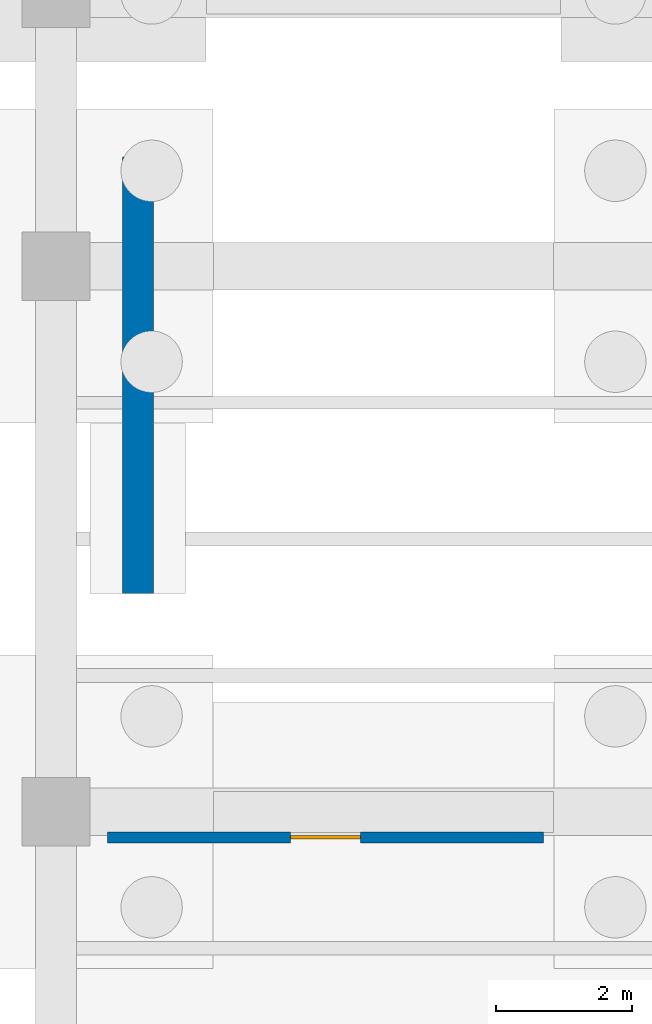
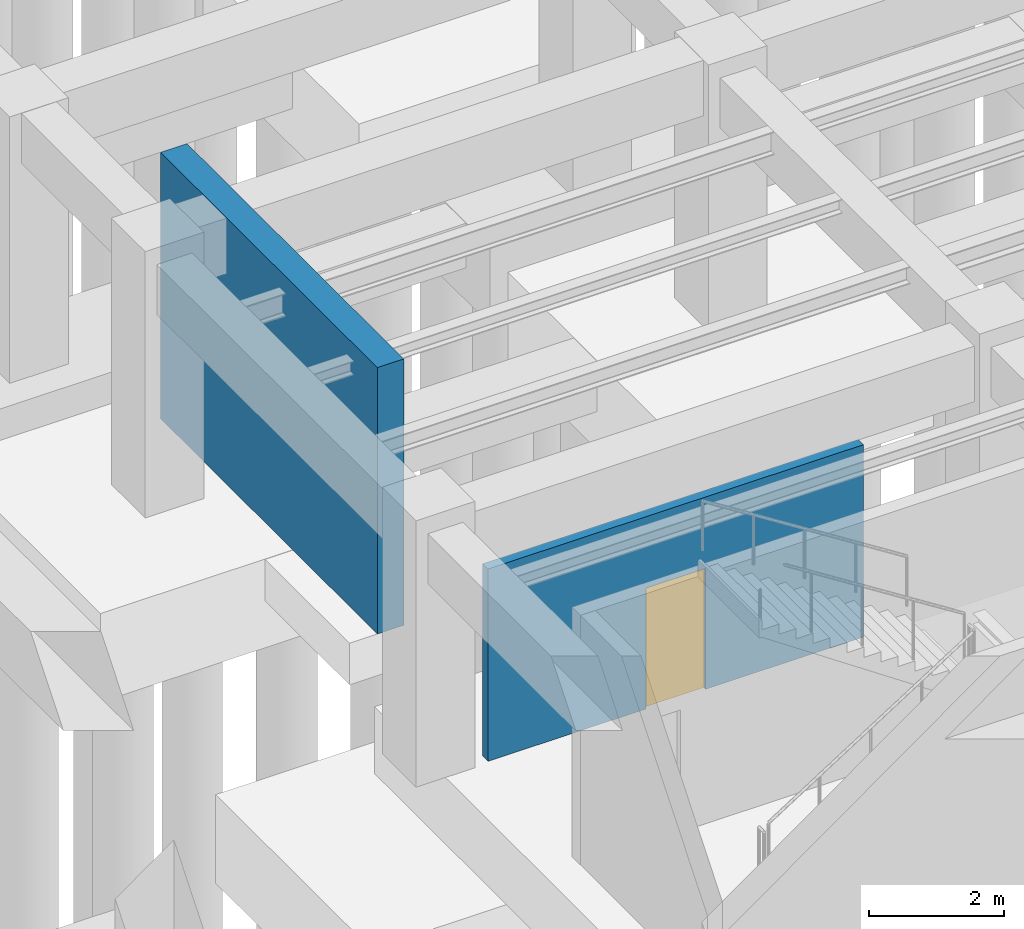
# One storey, part 37 of 56: 2 walls, 1 door, 1 opening.
"""IFC4 building model written with IfcOpenShell, lengths in metres."""

from ifc_helpers import new_model, si_unit, direction, frame, frame_2d, origin, place, context, subcontext, project, spatial, rectangle, extrude, material, layer, layer_set, type_object, element, fill, save


model = new_model("IFC4")

# Units and contexts
model_context = context("Model", 3, precision=1e-05, world=origin(), true_north=direction((0.0, 1.0)))
body_context = subcontext(model_context, "Body", "Model", "MODEL_VIEW")
ifc_project = project(units=[si_unit("LENGTHUNIT", "METRE"), si_unit("AREAUNIT", "SQUARE_METRE"), si_unit("VOLUMEUNIT", "CUBIC_METRE"), si_unit("PLANEANGLEUNIT", "RADIAN"), si_unit("MASSUNIT", "GRAM", prefix="KILO")], contexts=[model_context])

# Site, building, storey
site_placement = place(None, origin())
site = spatial("IfcSite", under=ifc_project, at=site_placement, CompositionType="ELEMENT")
building_placement = place(site_placement, origin())
building = spatial("IfcBuilding", under=site, at=building_placement, Name="Mavantir Sound Aquarium", CompositionType="ELEMENT")
storey_placement = place(building_placement, frame((0.0, 0.0, -9.60009765625)))
storey = spatial("IfcBuildingStorey", under=building, at=storey_placement, Name="B2", CompositionType="ELEMENT", Elevation=-9.60009765625)

# Wall, opening, door
ifc_material_1 = material(Name="Acoustic Metal-Stud Gypsum Partition", Category="gypsum")
ifc_layer_1 = layer(ifc_material_1, 0.159912109375, Name="Acoustic Metal-Stud Gypsum Partition")
ifc_layer_set_1 = layer_set([ifc_layer_1], Name="Acoustic Metal-Stud Gypsum Partition")
wall_type_1 = type_object("IfcWallType", Name="IW-PART-160", PredefinedType="PARTITIONING", material=ifc_layer_set_1)
wall_1_placement = place(storey_placement, frame((108.75, 48.425048828125, 0.0), z_axis=(0.0, 0.0, 1.0), x_axis=(1.0, 0.0, 0.0)))
wall_1 = element("IfcWall", 1, at=wall_1_placement, inside=storey, type_object=wall_type_1, Name="B2 Scalloped Wing Substructure Seawater Header Vault entry partition", PredefinedType="PARTITIONING", context=body_context, shape_type="SweptSolid", body=[
    extrude(rectangle(XDim=6.39990234375, YDim=0.159912109375, at=frame_2d((3.199951171875, 0.0))), origin(), (0.0, 0.0, 1.0), 3.466064453125),
])
opening_placement = place(wall_1_placement, frame((2.68994140625, 0.0, 0.0)))
opening = element("IfcOpeningElement", 2, at=opening_placement, cuts=wall_1, Name="Opening ID-04", PredefinedType="OPENING", context=body_context, shape_type="SweptSolid", body=[
    extrude(rectangle(XDim=1.02001953125, YDim=2.179931640625, at=frame_2d((0.510009765625, 1.08984375))), frame((0.0, 0.08984375, 0.0), z_axis=(0.0, -1.0, 0.0), x_axis=(1.0, 0.0, 0.0)), (0.0, 0.0, 1.0), 0.179931640625),
])
ifc_material_2 = material(Name="Solid-Core Marine Hardwood and Vision-Panel Door", Category="wood")
door_type = type_object("IfcDoorType", Name="DR-INT-04", OperationType="NOTDEFINED", PredefinedType="DOOR", material=ifc_material_2)
door_placement = place(opening_placement, origin())
door = element("IfcDoor", 3, at=door_placement, inside=storey, type_object=door_type, Name="Scalloped Wing Substructure Seawater Header Vault door", OperationType="SINGLE_SWING_RIGHT", OverallHeight=2.179931640625, OverallWidth=1.02001953125, PredefinedType="DOOR", context=body_context, shape_type="SweptSolid", body=[
    extrude(rectangle(XDim=1.02001953125, YDim=2.179931640625, at=frame_2d((0.510009765625, 1.08984375))), frame((0.0, 0.02490234375, 0.0), z_axis=(0.0, -1.0, 0.0), x_axis=(1.0, 0.0, 0.0)), (0.0, 0.0, 1.0), 0.050048828125),
])
fill(opening, door)

# Wall
ifc_material_3 = material(Name="Concrete C40/50", Category="concrete")
ifc_layer_2 = layer(ifc_material_3, 0.449951171875, Name="Concrete C40/50")
ifc_layer_set_2 = layer_set([ifc_layer_2], Name="Concrete C40/50")
wall_type_2 = type_object("IfcWallType", Name="SW-SHR-450", PredefinedType="SHEAR", material=ifc_layer_set_2)
wall_2_placement = place(storey_placement, frame((109.199951171875, 52.0, 0.0), z_axis=(0.0, 0.0, 1.0), x_axis=(0.0, 1.0, 0.0)))
element("IfcWall", 4, at=wall_2_placement, inside=storey, type_object=wall_type_2, Name="B2 special RC shear wall 24 (V4)", PredefinedType="SHEAR", context=body_context, shape_type="SweptSolid", body=[
    extrude(rectangle(XDim=6.39990234375, YDim=0.449951171875, at=frame_2d((3.199951171875, 0.0))), origin(), (0.0, 0.0, 1.0), 4.800048828125),
])

save(model, "model.ifc")
